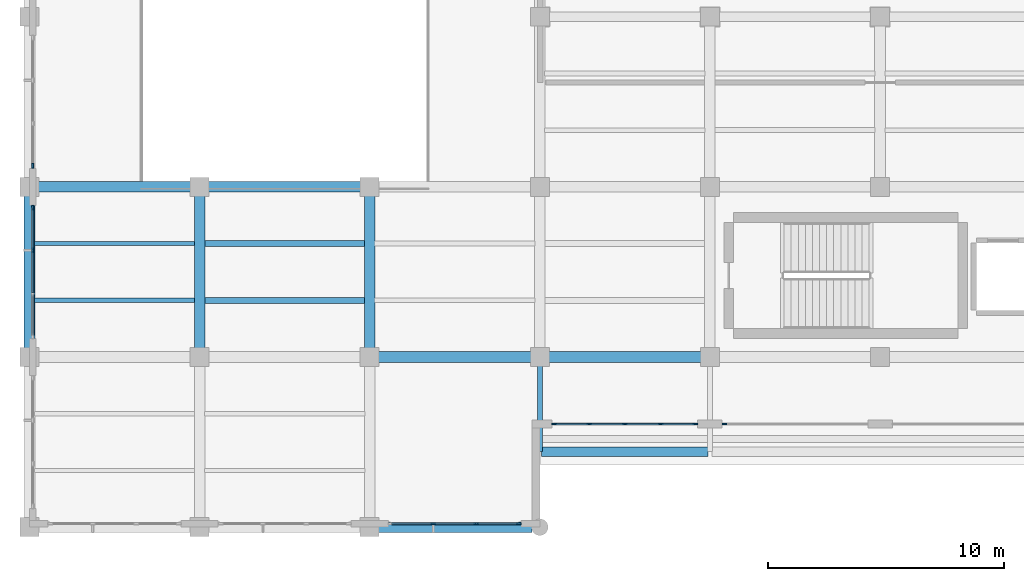
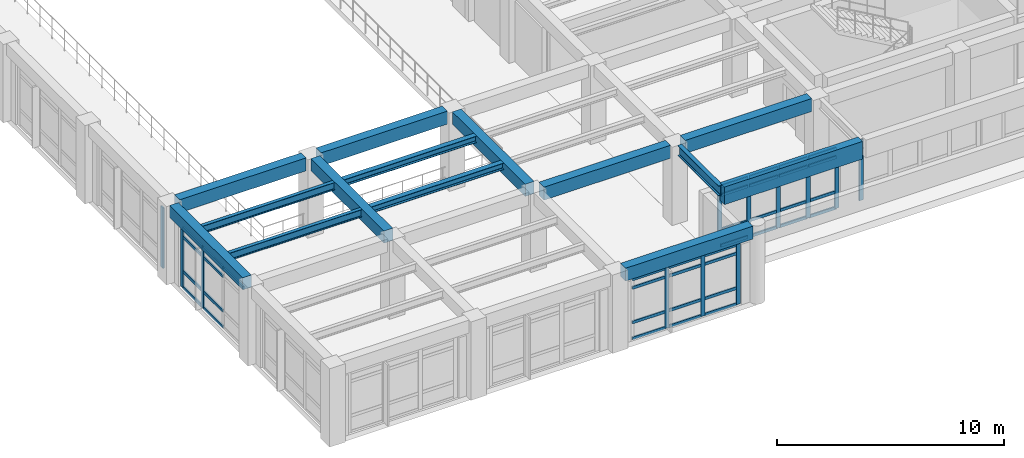
# One storey, part 3 of 67: 49 members, 14 beams, 5 elements without a shape of their own.
"""IFC4 building model written with IfcOpenShell, lengths in metres."""

from ifc_helpers import new_model, si_unit, direction, frame, origin, origin_2d, place, context, subcontext, project, spatial, rectangle, i_section, extrude, material, layer, layer_set, material_profile, profile_set, type_object, element, aggregate, save


model = new_model("IFC4")

# Units and contexts
model_context = context("Model", 3, precision=1e-05, world=origin(), true_north=direction((0.0, 1.0)))
body_context = subcontext(model_context, "Body", "Model", "MODEL_VIEW")
ifc_project = project(units=[si_unit("LENGTHUNIT", "METRE"), si_unit("AREAUNIT", "SQUARE_METRE"), si_unit("VOLUMEUNIT", "CUBIC_METRE"), si_unit("PLANEANGLEUNIT", "RADIAN"), si_unit("MASSUNIT", "GRAM", prefix="KILO")], contexts=[model_context])

# Site, building, storey
site_placement = place(None, origin())
site = spatial("IfcSite", under=ifc_project, at=site_placement, CompositionType="ELEMENT")
building_placement = place(site_placement, origin())
building = spatial("IfcBuilding", under=site, at=building_placement, Name="Solenvale Faculty of Natural Sciences", CompositionType="ELEMENT")
storey_placement = place(building_placement, frame((0.0, 0.0, 13.5)))
storey = spatial("IfcBuildingStorey", under=building, at=storey_placement, Name="L03", CompositionType="ELEMENT", Elevation=13.5)

# Beams
ifc_material_1 = material(Name="Concrete 40 MPa", Category="concrete")
ifc_material_profile_1 = material_profile(ifc_material_1, rectangle(XDim=0.449951171875, YDim=0.64990234375, at=origin_2d()), Name="RC-BM-450x650")
ifc_profile_set_1 = profile_set([ifc_material_profile_1], Name="Concrete 40 MPa")
beam_type_1 = type_object("IfcBeamType", Name="BM-RC-450x650", PredefinedType="BEAM", material=ifc_profile_set_1)
for number, where, z_axis, x_axis, name in (
    (1, (36.0, 21.97998046875, 3.89501953125), (0.0, 1.0, 0.0), (-1.0, 0.0, 0.0), "L03 Y-Girder X36.0 (21.6..28.8)"),
    (2, (43.199951171875, 21.97998046875, 3.89501953125), (0.0, 1.0, 0.0), (-1.0, 0.0, 0.0), "L03 Y-Girder X43.2 (21.6..28.8)"),
    (3, (50.39990234375, 21.97998046875, 3.89501953125), (0.0, 1.0, 0.0), (-1.0, 0.0, 0.0), "L03 Y-Girder X50.4 (21.6..28.8)"),
):
    element("IfcBeam", number, at=place(storey_placement, frame(where, z_axis=z_axis, x_axis=x_axis)), inside=storey, type_object=beam_type_1, Name=name, PredefinedType="BEAM", context=body_context, shape_type="SweptSolid", body=[
        extrude(rectangle(XDim=0.449951171875, YDim=0.64990234375, at=origin_2d()), origin(), (0.0, 0.0, 1.0), 6.43994140625),
    ])
ifc_material_profile_2 = material_profile(ifc_material_1, rectangle(XDim=0.449951171875, YDim=0.699951171875, at=origin_2d()), Name="RC-BM-450x700")
ifc_profile_set_2 = profile_set([ifc_material_profile_2], Name="Concrete 40 MPa")
beam_type_2 = type_object("IfcBeamType", Name="BM-RC-450x700", PredefinedType="BEAM", material=ifc_profile_set_2)
beam_1_placement = place(storey_placement, frame((50.780029296875, 14.39990234375, 3.8701171875), z_axis=(1.0, 0.0, 0.0), x_axis=(0.0, 1.0, 0.0)))
element("IfcBeam", 4, at=beam_1_placement, inside=storey, type_object=beam_type_2, Name="L03 X-Girder Y14.4 (50.4..57.6)", PredefinedType="BEAM", context=body_context, shape_type="SweptSolid", body=[
    extrude(rectangle(XDim=0.449951171875, YDim=0.699951171875, at=origin_2d()), origin(), (0.0, 0.0, 1.0), 6.489990234375),
])
for number, where, z_axis, x_axis, name in (
    (5, (50.780029296875, 21.60009765625, 3.8701171875), (1.0, 0.0, 0.0), (0.0, 1.0, 0.0), "L03 X-Girder Y21.6 (50.4..57.6)"),
    (6, (57.97998046875, 21.60009765625, 3.8701171875), (1.0, 0.0, 0.0), (0.0, 1.0, 0.0), "L03 X-Girder Y21.6 (57.6..64.8)"),
):
    element("IfcBeam", number, at=place(storey_placement, frame(where, z_axis=z_axis, x_axis=x_axis)), inside=storey, type_object=beam_type_2, Name=name, PredefinedType="BEAM", context=body_context, shape_type="SweptSolid", body=[
        extrude(rectangle(XDim=0.449951171875, YDim=0.699951171875, at=origin_2d()), origin(), (0.0, 0.0, 1.0), 6.43994140625),
    ])
beam_2_placement = place(storey_placement, frame((36.3798828125, 28.800048828125, 3.8701171875), z_axis=(1.0, 0.0, 0.0), x_axis=(0.0, 1.0, 0.0)))
element("IfcBeam", 7, at=beam_2_placement, inside=storey, type_object=beam_type_2, Name="L03 X-Girder Y28.8 (36.0..43.2)", PredefinedType="BEAM", context=body_context, shape_type="SweptSolid", body=[
    extrude(rectangle(XDim=0.449951171875, YDim=0.699951171875, at=origin_2d()), origin(), (0.0, 0.0, 1.0), 6.440185546875),
])
beam_3_placement = place(storey_placement, frame((43.580078125, 28.800048828125, 3.8701171875), z_axis=(1.0, 0.0, 0.0), x_axis=(0.0, 1.0, 0.0)))
element("IfcBeam", 8, at=beam_3_placement, inside=storey, type_object=beam_type_2, Name="L03 X-Girder Y28.8 (43.2..50.4)", PredefinedType="BEAM", context=body_context, shape_type="SweptSolid", body=[
    extrude(rectangle(XDim=0.449951171875, YDim=0.699951171875, at=origin_2d()), origin(), (0.0, 0.0, 1.0), 6.43994140625),
])
ifc_material_2 = material(Name="Architectural bronze concrete 40 MPa", Category="concrete")
ifc_material_profile_3 = material_profile(ifc_material_2, rectangle(XDim=0.39990234375, YDim=0.949951171875, at=origin_2d()), Name="RC-SPN-400x950")
ifc_profile_set_3 = profile_set([ifc_material_profile_3], Name="Architectural bronze concrete 40 MPa")
beam_type_3 = type_object("IfcBeamType", Name="BM-SPN-BRZ-950", PredefinedType="SPANDREL", material=ifc_profile_set_3)
beam_4_placement = place(storey_placement, frame((57.679931640625, 17.60009765625, 3.7451171875), z_axis=(1.0, 0.0, 0.0), x_axis=(0.0, 1.0, 0.0)))
element("IfcBeam", 9, at=beam_4_placement, inside=storey, type_object=beam_type_3, Name="L04 Sliding-Tray South Bronze Fascia 1", PredefinedType="SPANDREL", context=body_context, shape_type="SweptSolid", body=[
    extrude(rectangle(XDim=0.39990234375, YDim=0.949951171875, at=origin_2d()), origin(), (0.0, 0.0, 1.0), 7.0400390625),
])
ifc_material_3 = material(Name="Steel S355", Category="steel")
ifc_material_profile_4 = material_profile(ifc_material_3, i_section(OverallWidth=0.2548828125, OverallDepth=0.35693359375, WebThickness=0.010498046875, FlangeThickness=0.018310546875, FilletRadius=0.014892578125, at=origin_2d()), Name="W360x101")
ifc_profile_set_4 = profile_set([ifc_material_profile_4], Name="Steel S355")
beam_type_4 = type_object("IfcBeamType", Name="BM-STL-W360x101", PredefinedType="JOIST", material=ifc_profile_set_4)
for number, where, z_axis, x_axis, name in (
    (10, (43.405029296875, 24.0, 4.04150390625), (1.0, 0.0, 0.0), (0.0, 1.0, 0.0), "L03 Composite Floor Joist (7,4).1"),
    (11, (43.405029296875, 26.39990234375, 4.04150390625), (1.0, 0.0, 0.0), (0.0, 1.0, 0.0), "L03 Composite Floor Joist (7,4).2"),
):
    element("IfcBeam", number, at=place(storey_placement, frame(where, z_axis=z_axis, x_axis=x_axis)), inside=storey, type_object=beam_type_4, Name=name, PredefinedType="JOIST", context=body_context, shape_type="SweptSolid", body=[
        extrude(i_section(OverallWidth=0.2548828125, OverallDepth=0.35693359375, WebThickness=0.010498046875, FlangeThickness=0.018310546875, FilletRadius=0.014892578125, at=origin_2d()), origin(), (0.0, 0.0, 1.0), 6.7900390625),
    ])
ifc_material_profile_5 = material_profile(ifc_material_3, i_section(OverallWidth=0.178955078125, OverallDepth=0.409912109375, WebThickness=0.0087890625, FlangeThickness=0.014404296875, FilletRadius=0.01611328125, at=origin_2d()), Name="W410x67")
ifc_profile_set_5 = profile_set([ifc_material_profile_5], Name="Steel S355")
beam_type_5 = type_object("IfcBeamType", Name="BM-STL-W410x67", PredefinedType="JOIST", material=ifc_profile_set_5)
for number, where, z_axis, x_axis, name in (
    (12, (36.205078125, 24.0, 4.014892578125), (1.0, 0.0, 0.0), (0.0, 1.0, 0.0), "L03 Composite Floor Joist (6,4).1"),
    (13, (36.205078125, 26.39990234375, 4.014892578125), (1.0, 0.0, 0.0), (0.0, 1.0, 0.0), "L03 Composite Floor Joist (6,4).2"),
):
    element("IfcBeam", number, at=place(storey_placement, frame(where, z_axis=z_axis, x_axis=x_axis)), inside=storey, type_object=beam_type_5, Name=name, PredefinedType="JOIST", context=body_context, shape_type="SweptSolid", body=[
        extrude(i_section(OverallWidth=0.178955078125, OverallDepth=0.409912109375, WebThickness=0.0087890625, FlangeThickness=0.014404296875, FilletRadius=0.01611328125, at=origin_2d()), origin(), (0.0, 0.0, 1.0), 6.7900390625),
    ])
ifc_material_profile_6 = material_profile(ifc_material_3, i_section(OverallWidth=0.2119140625, OverallDepth=0.5439453125, WebThickness=0.01318359375, FlangeThickness=0.021240234375, FilletRadius=0.01904296875, at=origin_2d()), Name="W530x123")
ifc_profile_set_6 = profile_set([ifc_material_profile_6], Name="Steel S355")
beam_type_6 = type_object("IfcBeamType", Name="BM-STL-W530x123", PredefinedType="BEAM", material=ifc_profile_set_6)
beam_5_placement = place(storey_placement, frame((57.60009765625, 21.219970703125, 3.947998046875), z_axis=(0.0, -1.0, 0.0), x_axis=(1.0, 0.0, 0.0)))
element("IfcBeam", 14, at=beam_5_placement, inside=storey, type_object=beam_type_6, Name="L03 V4 Cantilever Tray Girder X57.6", PredefinedType="BEAM", context=body_context, shape_type="SweptSolid", body=[
    extrude(i_section(OverallWidth=0.2119140625, OverallDepth=0.5439453125, WebThickness=0.01318359375, FlangeThickness=0.021240234375, FilletRadius=0.01904296875, at=origin_2d()), origin(), (0.0, 0.0, 1.0), 3.619873046875),
])

# Curtain wall, member
ifc_material_4 = material(Name="Anodised bronze aluminium", Category="aluminium")
ifc_layer_1 = layer(ifc_material_4, 0.215087890625)
ifc_layer_set_1 = layer_set([ifc_layer_1], Name="Anodised bronze aluminium")
curtain_wall_type_1 = type_object("IfcCurtainWallType", Name="CW-ATR-UNIT", PredefinedType="USERDEFINED", material=ifc_layer_set_1)
curtain_wall_1_placement = place(storey_placement, origin())
curtain_wall_1 = element("IfcCurtainWall", 15, at=curtain_wall_1_placement, inside=storey, type_object=curtain_wall_type_1, Name="L03 Curtain Wall CW-L03-P1-E3-B9", ObjectType="UNITISED CURTAIN WALL", PredefinedType="USERDEFINED")
ifc_material_profile_7 = material_profile(ifc_material_4, rectangle(XDim=0.074951171875, YDim=0.2099609375, at=origin_2d()), Name="ALU-MUL-75x210")
ifc_profile_set_7 = profile_set([ifc_material_profile_7], Name="Anodised bronze aluminium")
member_type_1 = type_object("IfcMemberType", Name="CWM-ALU-75x210", PredefinedType="MULLION", material=ifc_profile_set_7)
member_1_placement = place(storey_placement, frame((36.142578125, 29.6875, 0.0), z_axis=(0.0, 0.0, 1.0), x_axis=(1.0, 0.0, 0.0)))
member_1 = element("IfcMember", 16, at=member_1_placement, type_object=member_type_1, Name="CW-01 mullion 4", PredefinedType="MULLION", context=body_context, shape_type="SweptSolid", body=[
    extrude(rectangle(XDim=0.074951171875, YDim=0.2099609375, at=origin_2d()), origin(), (0.0, 0.0, 1.0), 3.260009765625),
])
aggregate(curtain_wall_1, [member_1])

# Curtain wall, members
curtain_wall_2_placement = place(storey_placement, origin())
curtain_wall_2 = element("IfcCurtainWall", 17, at=curtain_wall_2_placement, inside=storey, type_object=curtain_wall_type_1, Name="L03 Curtain Wall CW-L03-P1-E3-B10", ObjectType="UNITISED CURTAIN WALL", PredefinedType="USERDEFINED")
member_2_placement = place(storey_placement, frame((36.142578125, 27.91259765625, 0.0), z_axis=(0.0, 0.0, 1.0), x_axis=(1.0, 0.0, 0.0)))
member_2 = element("IfcMember", 18, at=member_2_placement, type_object=member_type_1, Name="CW-01 mullion 1", PredefinedType="MULLION", context=body_context, shape_type="SweptSolid", body=[
    extrude(rectangle(XDim=0.074951171875, YDim=0.2099609375, at=origin_2d()), origin(), (0.0, 0.0, 1.0), 3.260009765625),
])
member_3_placement = place(storey_placement, frame((36.142578125, 26.11669921875, 0.0), z_axis=(0.0, 0.0, 1.0), x_axis=(1.0, 0.0, 0.0)))
member_3 = element("IfcMember", 19, at=member_3_placement, type_object=member_type_1, Name="CW-01 mullion 2", PredefinedType="MULLION", context=body_context, shape_type="SweptSolid", body=[
    extrude(rectangle(XDim=0.074951171875, YDim=0.2099609375, at=origin_2d()), origin(), (0.0, 0.0, 1.0), 3.260009765625),
])

curtain_wall_3_placement = place(storey_placement, origin())
curtain_wall_3 = element("IfcCurtainWall", 20, at=curtain_wall_3_placement, inside=storey, type_object=curtain_wall_type_1, Name="L03 Curtain Wall CW-L03-P1-E4-B3", ObjectType="UNITISED CURTAIN WALL", PredefinedType="USERDEFINED")
member_4_placement = place(storey_placement, frame((53.083251953125, 14.54248046875, 0.0), z_axis=(0.0, 0.0, 1.0), x_axis=(0.0, 1.0, 0.0)))
member_4 = element("IfcMember", 21, at=member_4_placement, type_object=member_type_1, Name="CW-01 mullion 2", PredefinedType="MULLION", context=body_context, shape_type="SweptSolid", body=[
    extrude(rectangle(XDim=0.074951171875, YDim=0.2099609375, at=origin_2d()), origin(), (0.0, 0.0, 1.0), 3.260009765625),
])
member_5_placement = place(storey_placement, frame((54.916748046875, 14.54248046875, 0.0), z_axis=(0.0, 0.0, 1.0), x_axis=(0.0, 1.0, 0.0)))
member_5 = element("IfcMember", 22, at=member_5_placement, type_object=member_type_1, Name="CW-01 mullion 3", PredefinedType="MULLION", context=body_context, shape_type="SweptSolid", body=[
    extrude(rectangle(XDim=0.074951171875, YDim=0.2099609375, at=origin_2d()), origin(), (0.0, 0.0, 1.0), 3.260009765625),
])
member_6_placement = place(storey_placement, frame((56.71240234375, 14.54248046875, 0.0), z_axis=(0.0, 0.0, 1.0), x_axis=(0.0, 1.0, 0.0)))
member_6 = element("IfcMember", 23, at=member_6_placement, type_object=member_type_1, Name="CW-01 mullion 4", PredefinedType="MULLION", context=body_context, shape_type="SweptSolid", body=[
    extrude(rectangle(XDim=0.074951171875, YDim=0.2099609375, at=origin_2d()), origin(), (0.0, 0.0, 1.0), 3.260009765625),
])

ifc_layer_2 = layer(ifc_material_4, 0.18994140625)
ifc_layer_set_2 = layer_set([ifc_layer_2], Name="Anodised bronze aluminium")
curtain_wall_type_2 = type_object("IfcCurtainWallType", Name="CW-TRAY-REC", PredefinedType="USERDEFINED", material=ifc_layer_set_2)
curtain_wall_4_placement = place(storey_placement, origin())
curtain_wall_4 = element("IfcCurtainWall", 24, at=curtain_wall_4_placement, inside=storey, type_object=curtain_wall_type_2, Name="L03 Curtain Wall CW-L03-P1-E6-B1", ObjectType="UNITISED CURTAIN WALL", PredefinedType="USERDEFINED")
member_7_placement = place(storey_placement, frame((58.217529296875, 18.762451171875, 0.0), z_axis=(0.0, 0.0, 1.0), x_axis=(0.0, 1.0, 0.0)))
member_7 = element("IfcMember", 25, at=member_7_placement, type_object=member_type_1, Name="CW-02 mullion 1", PredefinedType="MULLION", context=body_context, shape_type="SweptSolid", body=[
    extrude(rectangle(XDim=0.074951171875, YDim=0.2099609375, at=origin_2d()), origin(), (0.0, 0.0, 1.0), 3.260009765625),
])
member_8_placement = place(storey_placement, frame((59.68994140625, 18.762451171875, 0.0), z_axis=(0.0, 0.0, 1.0), x_axis=(0.0, 1.0, 0.0)))
member_8 = element("IfcMember", 26, at=member_8_placement, type_object=member_type_1, Name="CW-02 mullion 2", PredefinedType="MULLION", context=body_context, shape_type="SweptSolid", body=[
    extrude(rectangle(XDim=0.074951171875, YDim=0.2099609375, at=origin_2d()), origin(), (0.0, 0.0, 1.0), 3.260009765625),
])
member_9_placement = place(storey_placement, frame((61.199951171875, 18.762451171875, 0.0), z_axis=(0.0, 0.0, 1.0), x_axis=(0.0, 1.0, 0.0)))
member_9 = element("IfcMember", 27, at=member_9_placement, type_object=member_type_1, Name="CW-02 mullion 3", PredefinedType="MULLION", context=body_context, shape_type="SweptSolid", body=[
    extrude(rectangle(XDim=0.074951171875, YDim=0.2099609375, at=origin_2d()), origin(), (0.0, 0.0, 1.0), 3.260009765625),
])
member_10_placement = place(storey_placement, frame((62.7099609375, 18.762451171875, 0.0), z_axis=(0.0, 0.0, 1.0), x_axis=(0.0, 1.0, 0.0)))
member_10 = element("IfcMember", 28, at=member_10_placement, type_object=member_type_1, Name="CW-02 mullion 4", PredefinedType="MULLION", context=body_context, shape_type="SweptSolid", body=[
    extrude(rectangle(XDim=0.074951171875, YDim=0.2099609375, at=origin_2d()), origin(), (0.0, 0.0, 1.0), 3.260009765625),
])
member_11_placement = place(storey_placement, frame((64.1826171875, 18.762451171875, 0.0), z_axis=(0.0, 0.0, 1.0), x_axis=(0.0, 1.0, 0.0)))
member_11 = element("IfcMember", 29, at=member_11_placement, type_object=member_type_1, Name="CW-02 mullion 5", PredefinedType="MULLION", context=body_context, shape_type="SweptSolid", body=[
    extrude(rectangle(XDim=0.074951171875, YDim=0.2099609375, at=origin_2d()), origin(), (0.0, 0.0, 1.0), 3.260009765625),
])

# Curtain wall, member
curtain_wall_5_placement = place(storey_placement, origin())
curtain_wall_5 = element("IfcCurtainWall", 30, at=curtain_wall_5_placement, inside=storey, type_object=curtain_wall_type_2, Name="L03 Curtain Wall CW-L03-P1-E6-B2", ObjectType="UNITISED CURTAIN WALL", PredefinedType="USERDEFINED")
member_12_placement = place(storey_placement, frame((65.41748046875, 18.762451171875, 0.0), z_axis=(0.0, 0.0, 1.0), x_axis=(0.0, 1.0, 0.0)))
member_12 = element("IfcMember", 31, at=member_12_placement, type_object=member_type_1, Name="CW-02 mullion 1", PredefinedType="MULLION", context=body_context, shape_type="SweptSolid", body=[
    extrude(rectangle(XDim=0.074951171875, YDim=0.2099609375, at=origin_2d()), origin(), (0.0, 0.0, 1.0), 3.260009765625),
])
aggregate(curtain_wall_5, [member_12])

# Member
ifc_material_profile_8 = material_profile(ifc_material_4, rectangle(XDim=0.074951171875, YDim=0.155029296875, at=origin_2d()), Name="ALU-TRN-75x155")
ifc_profile_set_8 = profile_set([ifc_material_profile_8], Name="Anodised bronze aluminium")
member_type_2 = type_object("IfcMemberType", Name="CWT-ALU-75x155", PredefinedType="USERDEFINED", material=ifc_profile_set_8)
member_13_placement = place(storey_placement, frame((36.142578125, 27.875, 0.03759765625), z_axis=(0.0, -1.0, 0.0), x_axis=(1.0, 0.0, 0.0)))
member_13 = element("IfcMember", 32, at=member_13_placement, type_object=member_type_2, Name="CW-01 transom 1.1", ObjectType="TRANSOM", PredefinedType="USERDEFINED", context=body_context, shape_type="SweptSolid", body=[
    extrude(rectangle(XDim=0.074951171875, YDim=0.155029296875, at=origin_2d()), origin(), (0.0, 0.0, 1.0), 1.720947265625),
])

member_14_placement = place(storey_placement, frame((36.142578125, 27.875, 0.89990234375), z_axis=(0.0, -1.0, 0.0), x_axis=(1.0, 0.0, 0.0)))
member_14 = element("IfcMember", 33, at=member_14_placement, type_object=member_type_2, Name="CW-01 transom 1.2", ObjectType="TRANSOM", PredefinedType="USERDEFINED", context=body_context, shape_type="SweptSolid", body=[
    extrude(rectangle(XDim=0.074951171875, YDim=0.155029296875, at=origin_2d()), origin(), (0.0, 0.0, 1.0), 1.720947265625),
])

member_15_placement = place(storey_placement, frame((36.142578125, 27.875, 2.760009765625), z_axis=(0.0, -1.0, 0.0), x_axis=(1.0, 0.0, 0.0)))
member_15 = element("IfcMember", 34, at=member_15_placement, type_object=member_type_2, Name="CW-01 transom 1.3", ObjectType="TRANSOM", PredefinedType="USERDEFINED", context=body_context, shape_type="SweptSolid", body=[
    extrude(rectangle(XDim=0.074951171875, YDim=0.155029296875, at=origin_2d()), origin(), (0.0, 0.0, 1.0), 1.720947265625),
])

member_16_placement = place(storey_placement, frame((36.142578125, 27.875, 3.222412109375), z_axis=(0.0, -1.0, 0.0), x_axis=(1.0, 0.0, 0.0)))
member_16 = element("IfcMember", 35, at=member_16_placement, type_object=member_type_2, Name="CW-01 transom 1.4", ObjectType="TRANSOM", PredefinedType="USERDEFINED", context=body_context, shape_type="SweptSolid", body=[
    extrude(rectangle(XDim=0.074951171875, YDim=0.155029296875, at=origin_2d()), origin(), (0.0, 0.0, 1.0), 1.720947265625),
])

member_17_placement = place(storey_placement, frame((36.142578125, 26.0791015625, 0.03759765625), z_axis=(0.0, -1.0, 0.0), x_axis=(1.0, 0.0, 0.0)))
member_17 = element("IfcMember", 36, at=member_17_placement, type_object=member_type_2, Name="CW-01 transom 2.1", ObjectType="TRANSOM", PredefinedType="USERDEFINED", context=body_context, shape_type="SweptSolid", body=[
    extrude(rectangle(XDim=0.074951171875, YDim=0.155029296875, at=origin_2d()), origin(), (0.0, 0.0, 1.0), 1.75830078125),
])

member_18_placement = place(storey_placement, frame((36.142578125, 26.0791015625, 0.89990234375), z_axis=(0.0, -1.0, 0.0), x_axis=(1.0, 0.0, 0.0)))
member_18 = element("IfcMember", 37, at=member_18_placement, type_object=member_type_2, Name="CW-01 transom 2.2", ObjectType="TRANSOM", PredefinedType="USERDEFINED", context=body_context, shape_type="SweptSolid", body=[
    extrude(rectangle(XDim=0.074951171875, YDim=0.155029296875, at=origin_2d()), origin(), (0.0, 0.0, 1.0), 1.75830078125),
])

member_19_placement = place(storey_placement, frame((36.142578125, 26.0791015625, 2.760009765625), z_axis=(0.0, -1.0, 0.0), x_axis=(1.0, 0.0, 0.0)))
member_19 = element("IfcMember", 38, at=member_19_placement, type_object=member_type_2, Name="CW-01 transom 2.3", ObjectType="TRANSOM", PredefinedType="USERDEFINED", context=body_context, shape_type="SweptSolid", body=[
    extrude(rectangle(XDim=0.074951171875, YDim=0.155029296875, at=origin_2d()), origin(), (0.0, 0.0, 1.0), 1.75830078125),
])

member_20_placement = place(storey_placement, frame((36.142578125, 26.0791015625, 3.222412109375), z_axis=(0.0, -1.0, 0.0), x_axis=(1.0, 0.0, 0.0)))
member_20 = element("IfcMember", 39, at=member_20_placement, type_object=member_type_2, Name="CW-01 transom 2.4", ObjectType="TRANSOM", PredefinedType="USERDEFINED", context=body_context, shape_type="SweptSolid", body=[
    extrude(rectangle(XDim=0.074951171875, YDim=0.155029296875, at=origin_2d()), origin(), (0.0, 0.0, 1.0), 1.75830078125),
])

member_21_placement = place(storey_placement, frame((36.142578125, 24.245849609375, 3.222412109375), z_axis=(0.0, -1.0, 0.0), x_axis=(1.0, 0.0, 0.0)))
member_21 = element("IfcMember", 40, at=member_21_placement, type_object=member_type_2, Name="CW-01 transom 3.4", ObjectType="TRANSOM", PredefinedType="USERDEFINED", context=body_context, shape_type="SweptSolid", body=[
    extrude(rectangle(XDim=0.074951171875, YDim=0.155029296875, at=origin_2d()), origin(), (0.0, 0.0, 1.0), 1.720947265625),
])

aggregate(curtain_wall_2, [member_2, member_3, member_13, member_14, member_15, member_16, member_17, member_18, member_19, member_20, member_21])

member_22_placement = place(storey_placement, frame((51.324951171875, 14.54248046875, 0.03759765625), z_axis=(1.0, 0.0, 0.0), x_axis=(0.0, 1.0, 0.0)))
member_22 = element("IfcMember", 41, at=member_22_placement, type_object=member_type_2, Name="CW-01 transom 1.1", ObjectType="TRANSOM", PredefinedType="USERDEFINED", context=body_context, shape_type="SweptSolid", body=[
    extrude(rectangle(XDim=0.074951171875, YDim=0.155029296875, at=origin_2d()), origin(), (0.0, 0.0, 1.0), 1.720947265625),
])

member_23_placement = place(storey_placement, frame((51.324951171875, 14.54248046875, 0.89990234375), z_axis=(1.0, 0.0, 0.0), x_axis=(0.0, 1.0, 0.0)))
member_23 = element("IfcMember", 42, at=member_23_placement, type_object=member_type_2, Name="CW-01 transom 1.2", ObjectType="TRANSOM", PredefinedType="USERDEFINED", context=body_context, shape_type="SweptSolid", body=[
    extrude(rectangle(XDim=0.074951171875, YDim=0.155029296875, at=origin_2d()), origin(), (0.0, 0.0, 1.0), 1.720947265625),
])

member_24_placement = place(storey_placement, frame((51.324951171875, 14.54248046875, 2.760009765625), z_axis=(1.0, 0.0, 0.0), x_axis=(0.0, 1.0, 0.0)))
member_24 = element("IfcMember", 43, at=member_24_placement, type_object=member_type_2, Name="CW-01 transom 1.3", ObjectType="TRANSOM", PredefinedType="USERDEFINED", context=body_context, shape_type="SweptSolid", body=[
    extrude(rectangle(XDim=0.074951171875, YDim=0.155029296875, at=origin_2d()), origin(), (0.0, 0.0, 1.0), 1.720947265625),
])

member_25_placement = place(storey_placement, frame((51.324951171875, 14.54248046875, 3.222412109375), z_axis=(1.0, 0.0, 0.0), x_axis=(0.0, 1.0, 0.0)))
member_25 = element("IfcMember", 44, at=member_25_placement, type_object=member_type_2, Name="CW-01 transom 1.4", ObjectType="TRANSOM", PredefinedType="USERDEFINED", context=body_context, shape_type="SweptSolid", body=[
    extrude(rectangle(XDim=0.074951171875, YDim=0.155029296875, at=origin_2d()), origin(), (0.0, 0.0, 1.0), 1.720947265625),
])

member_26_placement = place(storey_placement, frame((53.120849609375, 14.54248046875, 0.03759765625), z_axis=(1.0, 0.0, 0.0), x_axis=(0.0, 1.0, 0.0)))
member_26 = element("IfcMember", 45, at=member_26_placement, type_object=member_type_2, Name="CW-01 transom 2.1", ObjectType="TRANSOM", PredefinedType="USERDEFINED", context=body_context, shape_type="SweptSolid", body=[
    extrude(rectangle(XDim=0.074951171875, YDim=0.155029296875, at=origin_2d()), origin(), (0.0, 0.0, 1.0), 1.75830078125),
])

member_27_placement = place(storey_placement, frame((53.120849609375, 14.54248046875, 0.89990234375), z_axis=(1.0, 0.0, 0.0), x_axis=(0.0, 1.0, 0.0)))
member_27 = element("IfcMember", 46, at=member_27_placement, type_object=member_type_2, Name="CW-01 transom 2.2", ObjectType="TRANSOM", PredefinedType="USERDEFINED", context=body_context, shape_type="SweptSolid", body=[
    extrude(rectangle(XDim=0.074951171875, YDim=0.155029296875, at=origin_2d()), origin(), (0.0, 0.0, 1.0), 1.75830078125),
])

member_28_placement = place(storey_placement, frame((53.120849609375, 14.54248046875, 2.760009765625), z_axis=(1.0, 0.0, 0.0), x_axis=(0.0, 1.0, 0.0)))
member_28 = element("IfcMember", 47, at=member_28_placement, type_object=member_type_2, Name="CW-01 transom 2.3", ObjectType="TRANSOM", PredefinedType="USERDEFINED", context=body_context, shape_type="SweptSolid", body=[
    extrude(rectangle(XDim=0.074951171875, YDim=0.155029296875, at=origin_2d()), origin(), (0.0, 0.0, 1.0), 1.75830078125),
])

member_29_placement = place(storey_placement, frame((53.120849609375, 14.54248046875, 3.222412109375), z_axis=(1.0, 0.0, 0.0), x_axis=(0.0, 1.0, 0.0)))
member_29 = element("IfcMember", 48, at=member_29_placement, type_object=member_type_2, Name="CW-01 transom 2.4", ObjectType="TRANSOM", PredefinedType="USERDEFINED", context=body_context, shape_type="SweptSolid", body=[
    extrude(rectangle(XDim=0.074951171875, YDim=0.155029296875, at=origin_2d()), origin(), (0.0, 0.0, 1.0), 1.75830078125),
])

member_30_placement = place(storey_placement, frame((54.9541015625, 14.54248046875, 0.03759765625), z_axis=(1.0, 0.0, 0.0), x_axis=(0.0, 1.0, 0.0)))
member_30 = element("IfcMember", 49, at=member_30_placement, type_object=member_type_2, Name="CW-01 transom 3.1", ObjectType="TRANSOM", PredefinedType="USERDEFINED", context=body_context, shape_type="SweptSolid", body=[
    extrude(rectangle(XDim=0.074951171875, YDim=0.155029296875, at=origin_2d()), origin(), (0.0, 0.0, 1.0), 1.720947265625),
])

member_31_placement = place(storey_placement, frame((54.9541015625, 14.54248046875, 0.89990234375), z_axis=(1.0, 0.0, 0.0), x_axis=(0.0, 1.0, 0.0)))
member_31 = element("IfcMember", 50, at=member_31_placement, type_object=member_type_2, Name="CW-01 transom 3.2", ObjectType="TRANSOM", PredefinedType="USERDEFINED", context=body_context, shape_type="SweptSolid", body=[
    extrude(rectangle(XDim=0.074951171875, YDim=0.155029296875, at=origin_2d()), origin(), (0.0, 0.0, 1.0), 1.720947265625),
])

member_32_placement = place(storey_placement, frame((54.9541015625, 14.54248046875, 2.760009765625), z_axis=(1.0, 0.0, 0.0), x_axis=(0.0, 1.0, 0.0)))
member_32 = element("IfcMember", 51, at=member_32_placement, type_object=member_type_2, Name="CW-01 transom 3.3", ObjectType="TRANSOM", PredefinedType="USERDEFINED", context=body_context, shape_type="SweptSolid", body=[
    extrude(rectangle(XDim=0.074951171875, YDim=0.155029296875, at=origin_2d()), origin(), (0.0, 0.0, 1.0), 1.720947265625),
])

member_33_placement = place(storey_placement, frame((54.9541015625, 14.54248046875, 3.222412109375), z_axis=(1.0, 0.0, 0.0), x_axis=(0.0, 1.0, 0.0)))
member_33 = element("IfcMember", 52, at=member_33_placement, type_object=member_type_2, Name="CW-01 transom 3.4", ObjectType="TRANSOM", PredefinedType="USERDEFINED", context=body_context, shape_type="SweptSolid", body=[
    extrude(rectangle(XDim=0.074951171875, YDim=0.155029296875, at=origin_2d()), origin(), (0.0, 0.0, 1.0), 1.720947265625),
])

aggregate(curtain_wall_3, [member_4, member_5, member_6, member_22, member_23, member_24, member_25, member_26, member_27, member_28, member_29, member_30, member_31, member_32, member_33])

member_34_placement = place(storey_placement, frame((58.2548828125, 18.762451171875, 0.03759765625), z_axis=(1.0, 0.0, 0.0), x_axis=(0.0, 1.0, 0.0)))
member_34 = element("IfcMember", 53, at=member_34_placement, type_object=member_type_2, Name="CW-02 transom 1.1", ObjectType="TRANSOM", PredefinedType="USERDEFINED", context=body_context, shape_type="SweptSolid", body=[
    extrude(rectangle(XDim=0.074951171875, YDim=0.155029296875, at=origin_2d()), origin(), (0.0, 0.0, 1.0), 1.397705078125),
])

member_35_placement = place(storey_placement, frame((58.2548828125, 18.762451171875, 0.89990234375), z_axis=(1.0, 0.0, 0.0), x_axis=(0.0, 1.0, 0.0)))
member_35 = element("IfcMember", 54, at=member_35_placement, type_object=member_type_2, Name="CW-02 transom 1.2", ObjectType="TRANSOM", PredefinedType="USERDEFINED", context=body_context, shape_type="SweptSolid", body=[
    extrude(rectangle(XDim=0.074951171875, YDim=0.155029296875, at=origin_2d()), origin(), (0.0, 0.0, 1.0), 1.397705078125),
])

member_36_placement = place(storey_placement, frame((58.2548828125, 18.762451171875, 2.760009765625), z_axis=(1.0, 0.0, 0.0), x_axis=(0.0, 1.0, 0.0)))
member_36 = element("IfcMember", 55, at=member_36_placement, type_object=member_type_2, Name="CW-02 transom 1.3", ObjectType="TRANSOM", PredefinedType="USERDEFINED", context=body_context, shape_type="SweptSolid", body=[
    extrude(rectangle(XDim=0.074951171875, YDim=0.155029296875, at=origin_2d()), origin(), (0.0, 0.0, 1.0), 1.397705078125),
])

member_37_placement = place(storey_placement, frame((58.2548828125, 18.762451171875, 3.222412109375), z_axis=(1.0, 0.0, 0.0), x_axis=(0.0, 1.0, 0.0)))
member_37 = element("IfcMember", 56, at=member_37_placement, type_object=member_type_2, Name="CW-02 transom 1.4", ObjectType="TRANSOM", PredefinedType="USERDEFINED", context=body_context, shape_type="SweptSolid", body=[
    extrude(rectangle(XDim=0.074951171875, YDim=0.155029296875, at=origin_2d()), origin(), (0.0, 0.0, 1.0), 1.397705078125),
])

member_38_placement = place(storey_placement, frame((59.7275390625, 18.762451171875, 0.03759765625), z_axis=(1.0, 0.0, 0.0), x_axis=(0.0, 1.0, 0.0)))
member_38 = element("IfcMember", 57, at=member_38_placement, type_object=member_type_2, Name="CW-02 transom 2.1", ObjectType="TRANSOM", PredefinedType="USERDEFINED", context=body_context, shape_type="SweptSolid", body=[
    extrude(rectangle(XDim=0.074951171875, YDim=0.155029296875, at=origin_2d()), origin(), (0.0, 0.0, 1.0), 1.43505859375),
])

member_39_placement = place(storey_placement, frame((59.7275390625, 18.762451171875, 0.89990234375), z_axis=(1.0, 0.0, 0.0), x_axis=(0.0, 1.0, 0.0)))
member_39 = element("IfcMember", 58, at=member_39_placement, type_object=member_type_2, Name="CW-02 transom 2.2", ObjectType="TRANSOM", PredefinedType="USERDEFINED", context=body_context, shape_type="SweptSolid", body=[
    extrude(rectangle(XDim=0.074951171875, YDim=0.155029296875, at=origin_2d()), origin(), (0.0, 0.0, 1.0), 1.43505859375),
])

member_40_placement = place(storey_placement, frame((59.7275390625, 18.762451171875, 2.760009765625), z_axis=(1.0, 0.0, 0.0), x_axis=(0.0, 1.0, 0.0)))
member_40 = element("IfcMember", 59, at=member_40_placement, type_object=member_type_2, Name="CW-02 transom 2.3", ObjectType="TRANSOM", PredefinedType="USERDEFINED", context=body_context, shape_type="SweptSolid", body=[
    extrude(rectangle(XDim=0.074951171875, YDim=0.155029296875, at=origin_2d()), origin(), (0.0, 0.0, 1.0), 1.43505859375),
])

member_41_placement = place(storey_placement, frame((59.7275390625, 18.762451171875, 3.222412109375), z_axis=(1.0, 0.0, 0.0), x_axis=(0.0, 1.0, 0.0)))
member_41 = element("IfcMember", 60, at=member_41_placement, type_object=member_type_2, Name="CW-02 transom 2.4", ObjectType="TRANSOM", PredefinedType="USERDEFINED", context=body_context, shape_type="SweptSolid", body=[
    extrude(rectangle(XDim=0.074951171875, YDim=0.155029296875, at=origin_2d()), origin(), (0.0, 0.0, 1.0), 1.43505859375),
])

member_42_placement = place(storey_placement, frame((61.237548828125, 18.762451171875, 0.03759765625), z_axis=(1.0, 0.0, 0.0), x_axis=(0.0, 1.0, 0.0)))
member_42 = element("IfcMember", 61, at=member_42_placement, type_object=member_type_2, Name="CW-02 transom 3.1", ObjectType="TRANSOM", PredefinedType="USERDEFINED", context=body_context, shape_type="SweptSolid", body=[
    extrude(rectangle(XDim=0.074951171875, YDim=0.155029296875, at=origin_2d()), origin(), (0.0, 0.0, 1.0), 1.43505859375),
])

member_43_placement = place(storey_placement, frame((61.237548828125, 18.762451171875, 0.89990234375), z_axis=(1.0, 0.0, 0.0), x_axis=(0.0, 1.0, 0.0)))
member_43 = element("IfcMember", 62, at=member_43_placement, type_object=member_type_2, Name="CW-02 transom 3.2", ObjectType="TRANSOM", PredefinedType="USERDEFINED", context=body_context, shape_type="SweptSolid", body=[
    extrude(rectangle(XDim=0.074951171875, YDim=0.155029296875, at=origin_2d()), origin(), (0.0, 0.0, 1.0), 1.43505859375),
])

member_44_placement = place(storey_placement, frame((61.237548828125, 18.762451171875, 2.760009765625), z_axis=(1.0, 0.0, 0.0), x_axis=(0.0, 1.0, 0.0)))
member_44 = element("IfcMember", 63, at=member_44_placement, type_object=member_type_2, Name="CW-02 transom 3.3", ObjectType="TRANSOM", PredefinedType="USERDEFINED", context=body_context, shape_type="SweptSolid", body=[
    extrude(rectangle(XDim=0.074951171875, YDim=0.155029296875, at=origin_2d()), origin(), (0.0, 0.0, 1.0), 1.43505859375),
])

member_45_placement = place(storey_placement, frame((61.237548828125, 18.762451171875, 3.222412109375), z_axis=(1.0, 0.0, 0.0), x_axis=(0.0, 1.0, 0.0)))
member_45 = element("IfcMember", 64, at=member_45_placement, type_object=member_type_2, Name="CW-02 transom 3.4", ObjectType="TRANSOM", PredefinedType="USERDEFINED", context=body_context, shape_type="SweptSolid", body=[
    extrude(rectangle(XDim=0.074951171875, YDim=0.155029296875, at=origin_2d()), origin(), (0.0, 0.0, 1.0), 1.43505859375),
])

member_46_placement = place(storey_placement, frame((62.74755859375, 18.762451171875, 0.03759765625), z_axis=(1.0, 0.0, 0.0), x_axis=(0.0, 1.0, 0.0)))
member_46 = element("IfcMember", 65, at=member_46_placement, type_object=member_type_2, Name="CW-02 transom 4.1", ObjectType="TRANSOM", PredefinedType="USERDEFINED", context=body_context, shape_type="SweptSolid", body=[
    extrude(rectangle(XDim=0.074951171875, YDim=0.155029296875, at=origin_2d()), origin(), (0.0, 0.0, 1.0), 1.3974609375),
])

member_47_placement = place(storey_placement, frame((62.74755859375, 18.762451171875, 0.89990234375), z_axis=(1.0, 0.0, 0.0), x_axis=(0.0, 1.0, 0.0)))
member_47 = element("IfcMember", 66, at=member_47_placement, type_object=member_type_2, Name="CW-02 transom 4.2", ObjectType="TRANSOM", PredefinedType="USERDEFINED", context=body_context, shape_type="SweptSolid", body=[
    extrude(rectangle(XDim=0.074951171875, YDim=0.155029296875, at=origin_2d()), origin(), (0.0, 0.0, 1.0), 1.3974609375),
])

member_48_placement = place(storey_placement, frame((62.74755859375, 18.762451171875, 2.760009765625), z_axis=(1.0, 0.0, 0.0), x_axis=(0.0, 1.0, 0.0)))
member_48 = element("IfcMember", 67, at=member_48_placement, type_object=member_type_2, Name="CW-02 transom 4.3", ObjectType="TRANSOM", PredefinedType="USERDEFINED", context=body_context, shape_type="SweptSolid", body=[
    extrude(rectangle(XDim=0.074951171875, YDim=0.155029296875, at=origin_2d()), origin(), (0.0, 0.0, 1.0), 1.3974609375),
])

member_49_placement = place(storey_placement, frame((62.74755859375, 18.762451171875, 3.222412109375), z_axis=(1.0, 0.0, 0.0), x_axis=(0.0, 1.0, 0.0)))
member_49 = element("IfcMember", 68, at=member_49_placement, type_object=member_type_2, Name="CW-02 transom 4.4", ObjectType="TRANSOM", PredefinedType="USERDEFINED", context=body_context, shape_type="SweptSolid", body=[
    extrude(rectangle(XDim=0.074951171875, YDim=0.155029296875, at=origin_2d()), origin(), (0.0, 0.0, 1.0), 1.3974609375),
])

aggregate(curtain_wall_4, [member_7, member_8, member_9, member_10, member_11, member_34, member_35, member_36, member_37, member_38, member_39, member_40, member_41, member_42, member_43, member_44, member_45, member_46, member_47, member_48, member_49])

save(model, "model.ifc")
